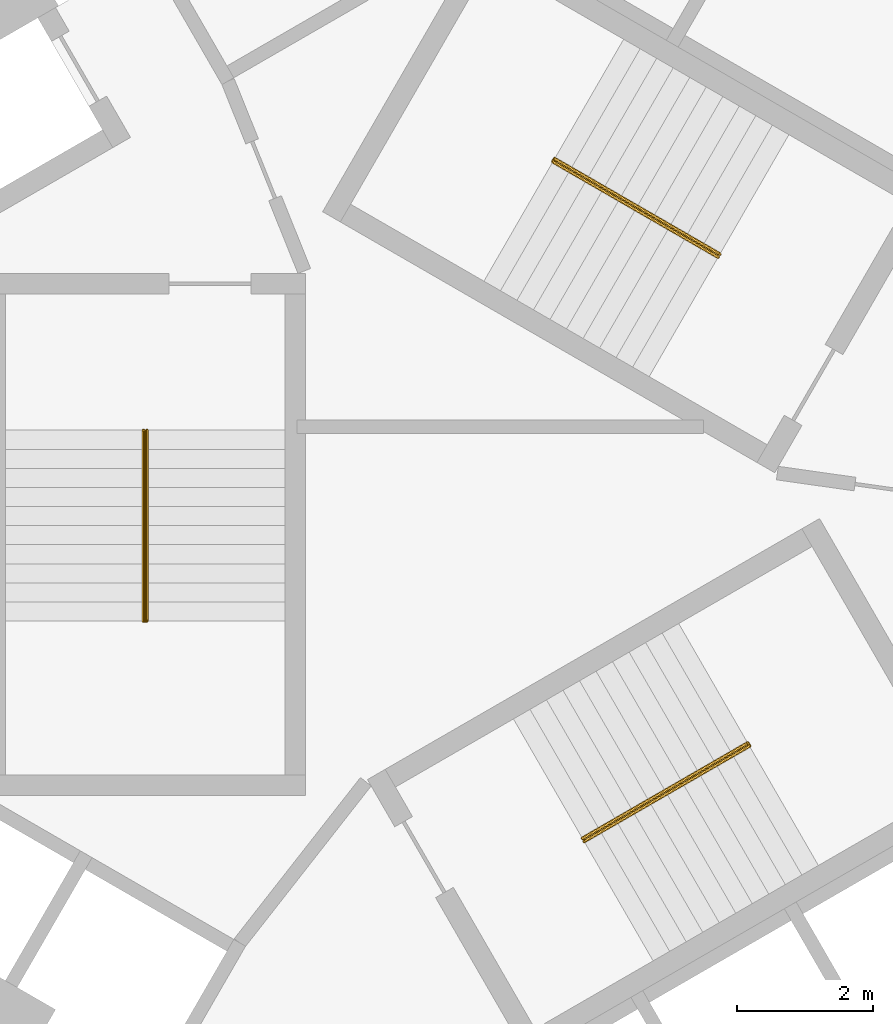
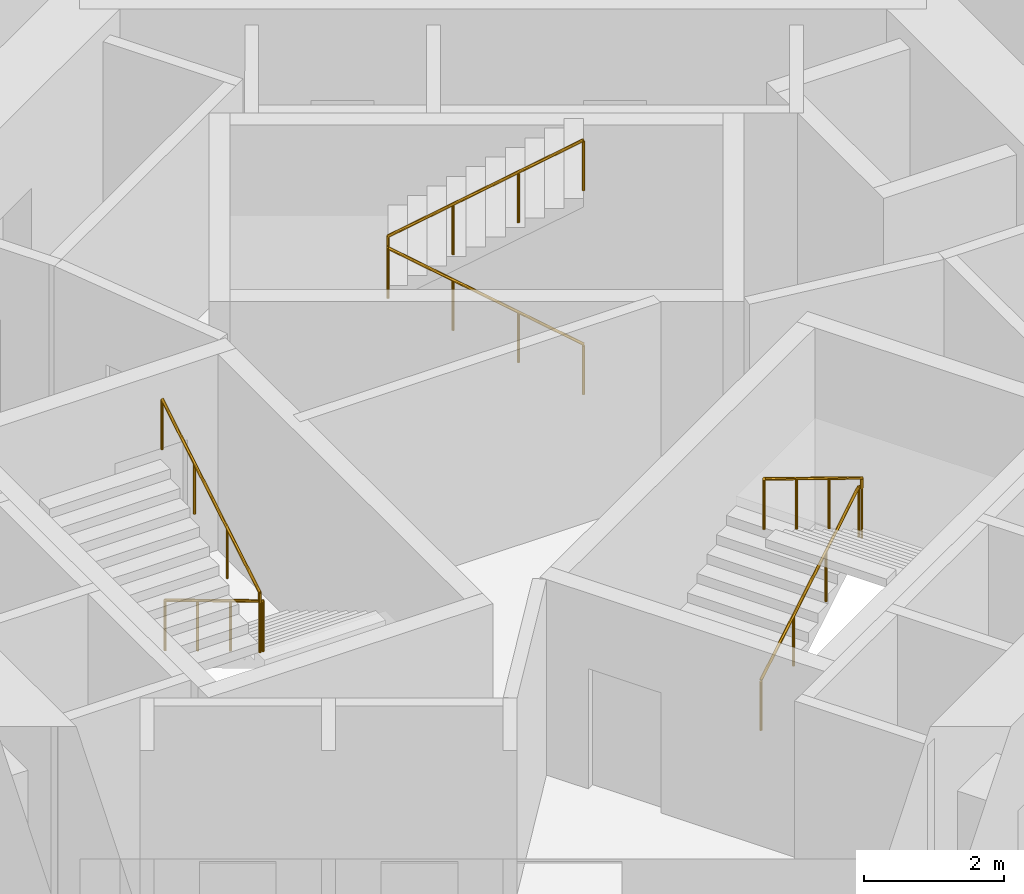
# One storey, part 11 of 11: 3 railings.
"""IFC4 building model written with IfcOpenShell, lengths in metres."""

from ifc_helpers import new_model, si_unit, direction, frame, origin, origin_2d, place, context, subcontext, project, spatial, circle, extrude, material, type_object, element, save


model = new_model("IFC4")

# Units and contexts
model_context = context("Model", 3, precision=1e-05, world=origin(), true_north=direction((0.0, 1.0)))
body_context = subcontext(model_context, "Body", "Model", "MODEL_VIEW")
ifc_project = project(units=[si_unit("LENGTHUNIT", "METRE"), si_unit("AREAUNIT", "SQUARE_METRE"), si_unit("VOLUMEUNIT", "CUBIC_METRE"), si_unit("PLANEANGLEUNIT", "RADIAN"), si_unit("MASSUNIT", "GRAM", prefix="KILO")], contexts=[model_context])

# Site, building, storey
site_placement = place(None, origin())
site = spatial("IfcSite", under=ifc_project, at=site_placement, CompositionType="ELEMENT")
building_placement = place(site_placement, origin())
building = spatial("IfcBuilding", under=site, at=building_placement, Name="Vanh Sen Convention Tower", CompositionType="ELEMENT")
storey_placement = place(building_placement, frame((0.0, 0.0, 172.5)))
storey = spatial("IfcBuildingStorey", under=building, at=storey_placement, Name="L42", CompositionType="ELEMENT", Elevation=172.5)

# Railings
ifc_material = material(Name="Stainless steel handrail", Category="steel")
railing_type = type_object("IfcRailingType", Name="Stair handrail 900", PredefinedType="HANDRAIL", material=ifc_material)
railing_1_placement = place(storey_placement, frame((3.45849609375, 3.690185546875, 0.168212890625)))
element("IfcRailing", 1, at=railing_1_placement, inside=storey, type_object=railing_type, Name="Stair handrail ST1 L42", PredefinedType="HANDRAIL", context=body_context, shape_type="SweptSolid", body=[
    extrude(circle(Radius=0.02392578125, at=origin_2d()), frame((0.0, 0.0, 0.8759765625), z_axis=(-0.742390482028, 0.42860119049, 0.514934356695), x_axis=(-0.49998411664, -0.866034573852, 0.0)), (0.0, 0.0, 1.0), 3.26611328125),
    extrude(circle(Radius=0.02392578125, at=origin_2d()), frame((-2.4248046875, 1.39990234375, 2.5576171875), z_axis=(0.497188445666, 0.867642581652, 0.0), x_axis=(-0.867642581652, 0.497188445666, 0.0)), (0.0, 0.0, 1.0), 0.050048828125),
    extrude(circle(Radius=0.02392578125, at=origin_2d()), frame((-2.39990234375, 1.443359375, 2.5576171875), z_axis=(0.0, 0.0, 1.0), x_axis=(1.0, 0.0, 0.0)), (0.0, 0.0, 1.0), 0.168212890625),
    extrude(circle(Radius=0.02392578125, at=origin_2d()), frame((-2.39990234375, 1.443359375, 2.72607421875), z_axis=(0.742395268701, -0.428678701772, 0.514862928999), x_axis=(0.500049511043, 0.865996816683, 0.0)), (0.0, 0.0, 1.0), 3.26611328125),
    extrude(circle(Radius=0.02099609375, at=origin_2d()), origin(), (0.0, 0.0, 1.0), 0.851806640625),
    extrude(circle(Radius=0.02099609375, at=origin_2d()), frame((-0.808349609375, 0.466552734375, 0.560546875)), (0.0, 0.0, 1.0), 0.851806640625),
    extrude(circle(Radius=0.02099609375, at=origin_2d()), frame((-1.616455078125, 0.933349609375, 1.121337890625)), (0.0, 0.0, 1.0), 0.851806640625),
    extrude(circle(Radius=0.02099609375, at=origin_2d()), frame((-2.4248046875, 1.39990234375, 1.681884765625)), (0.0, 0.0, 1.0), 0.851806640625),
    extrude(circle(Radius=0.02099609375, at=origin_2d()), frame((-2.39990234375, 1.443359375, 1.681884765625)), (0.0, 0.0, 1.0), 0.851806640625),
    extrude(circle(Radius=0.02099609375, at=origin_2d()), frame((-2.39990234375, 1.443359375, 1.85009765625)), (0.0, 0.0, 1.0), 0.851806640625),
    extrude(circle(Radius=0.02099609375, at=origin_2d()), frame((-1.591552734375, 0.9765625, 2.41064453125)), (0.0, 0.0, 1.0), 0.851806640625),
    extrude(circle(Radius=0.02099609375, at=origin_2d()), frame((-0.783447265625, 0.510009765625, 2.97119140625)), (0.0, 0.0, 1.0), 0.851806640625),
    extrude(circle(Radius=0.02099609375, at=origin_2d()), frame((0.02490234375, 0.043212890625, 3.53173828125)), (0.0, 0.0, 1.0), 0.851806640625),
])
railing_2_placement = place(storey_placement, frame((-4.925048828125, 1.14990234375, 0.168212890625)))
element("IfcRailing", 2, at=railing_2_placement, inside=storey, type_object=railing_type, Name="Stair handrail ST2 L42", PredefinedType="HANDRAIL", context=body_context, shape_type="SweptSolid", body=[
    extrude(circle(Radius=0.02392578125, at=origin_2d()), frame((0.0, 0.0, 0.8759765625), z_axis=(0.0, -0.857222391501, 0.514946377315), x_axis=(1.0, 0.0, 0.0)), (0.0, 0.0, 1.0), 3.26611328125),
    extrude(circle(Radius=0.02392578125, at=origin_2d()), frame((0.0, -2.7998046875, 2.5576171875), z_axis=(-1.0, 0.0, 0.0), x_axis=(0.0, -1.0, 0.0)), (0.0, 0.0, 1.0), 0.050048828125),
    extrude(circle(Radius=0.02392578125, at=origin_2d()), frame((-0.050048828125, -2.7998046875, 2.5576171875), z_axis=(0.0, 0.0, 1.0), x_axis=(1.0, 0.0, 0.0)), (0.0, 0.0, 1.0), 0.168212890625),
    extrude(circle(Radius=0.02392578125, at=origin_2d()), frame((-0.050048828125, -2.7998046875, 2.72607421875), z_axis=(0.0, 0.857255387014, 0.514891446264), x_axis=(-1.0, 0.0, 0.0)), (0.0, 0.0, 1.0), 3.26611328125),
    extrude(circle(Radius=0.02099609375, at=origin_2d()), origin(), (0.0, 0.0, 1.0), 0.851806640625),
    extrude(circle(Radius=0.02099609375, at=origin_2d()), frame((0.0, -0.933349609375, 0.560546875)), (0.0, 0.0, 1.0), 0.851806640625),
    extrude(circle(Radius=0.02099609375, at=origin_2d()), frame((0.0, -1.866455078125, 1.121337890625)), (0.0, 0.0, 1.0), 0.851806640625),
    extrude(circle(Radius=0.02099609375, at=origin_2d()), frame((0.0, -2.7998046875, 1.681884765625)), (0.0, 0.0, 1.0), 0.851806640625),
    extrude(circle(Radius=0.02099609375, at=origin_2d()), frame((-0.050048828125, -2.7998046875, 1.681884765625)), (0.0, 0.0, 1.0), 0.851806640625),
    extrude(circle(Radius=0.02099609375, at=origin_2d()), frame((-0.050048828125, -2.7998046875, 1.85009765625)), (0.0, 0.0, 1.0), 0.851806640625),
    extrude(circle(Radius=0.02099609375, at=origin_2d()), frame((-0.050048828125, -1.866455078125, 2.41064453125)), (0.0, 0.0, 1.0), 0.851806640625),
    extrude(circle(Radius=0.02099609375, at=origin_2d()), frame((-0.050048828125, -0.933349609375, 2.97119140625)), (0.0, 0.0, 1.0), 0.851806640625),
    extrude(circle(Radius=0.02099609375, at=origin_2d()), frame((-0.050048828125, 0.0, 3.53173828125)), (0.0, 0.0, 1.0), 0.851806640625),
])
railing_3_placement = place(storey_placement, frame((1.466552734375, -4.840087890625, 0.168212890625)))
element("IfcRailing", 3, at=railing_3_placement, inside=storey, type_object=railing_type, Name="Stair handrail ST3 L42", PredefinedType="HANDRAIL", context=body_context, shape_type="SweptSolid", body=[
    extrude(circle(Radius=0.02392578125, at=origin_2d()), frame((0.0, 0.0, 0.8759765625), z_axis=(0.742390482028, 0.42860119049, 0.514934356695), x_axis=(-0.49998411664, 0.866034573852, 0.0)), (0.0, 0.0, 1.0), 3.26611328125),
    extrude(circle(Radius=0.02392578125, at=origin_2d()), frame((2.4248046875, 1.39990234375, 2.5576171875), z_axis=(0.502959906984, -0.86430974307, 0.0), x_axis=(0.86430974307, 0.502959906984, 0.0)), (0.0, 0.0, 1.0), 0.050048828125),
    extrude(circle(Radius=0.02392578125, at=origin_2d()), frame((2.449951171875, 1.356689453125, 2.5576171875), z_axis=(0.0, 0.0, 1.0), x_axis=(1.0, 0.0, 0.0)), (0.0, 0.0, 1.0), 0.168212890625),
    extrude(circle(Radius=0.02392578125, at=origin_2d()), frame((2.449951171875, 1.356689453125, 2.72607421875), z_axis=(-0.742395268701, -0.428678701772, 0.514862928999), x_axis=(0.500049511043, -0.865996816683, 0.0)), (0.0, 0.0, 1.0), 3.26611328125),
    extrude(circle(Radius=0.02099609375, at=origin_2d()), origin(), (0.0, 0.0, 1.0), 0.851806640625),
    extrude(circle(Radius=0.02099609375, at=origin_2d()), frame((0.808349609375, 0.466552734375, 0.560546875)), (0.0, 0.0, 1.0), 0.851806640625),
    extrude(circle(Radius=0.02099609375, at=origin_2d()), frame((1.616455078125, 0.933349609375, 1.121337890625)), (0.0, 0.0, 1.0), 0.851806640625),
    extrude(circle(Radius=0.02099609375, at=origin_2d()), frame((2.4248046875, 1.39990234375, 1.681884765625)), (0.0, 0.0, 1.0), 0.851806640625),
    extrude(circle(Radius=0.02099609375, at=origin_2d()), frame((2.449951171875, 1.356689453125, 1.681884765625)), (0.0, 0.0, 1.0), 0.851806640625),
    extrude(circle(Radius=0.02099609375, at=origin_2d()), frame((2.449951171875, 1.356689453125, 1.85009765625)), (0.0, 0.0, 1.0), 0.851806640625),
    extrude(circle(Radius=0.02099609375, at=origin_2d()), frame((1.6416015625, 0.889892578125, 2.41064453125)), (0.0, 0.0, 1.0), 0.851806640625),
    extrude(circle(Radius=0.02099609375, at=origin_2d()), frame((0.83349609375, 0.42333984375, 2.97119140625)), (0.0, 0.0, 1.0), 0.851806640625),
    extrude(circle(Radius=0.02099609375, at=origin_2d()), frame((0.025146484375, -0.04345703125, 3.53173828125)), (0.0, 0.0, 1.0), 0.851806640625),
])

save(model, "model.ifc")
